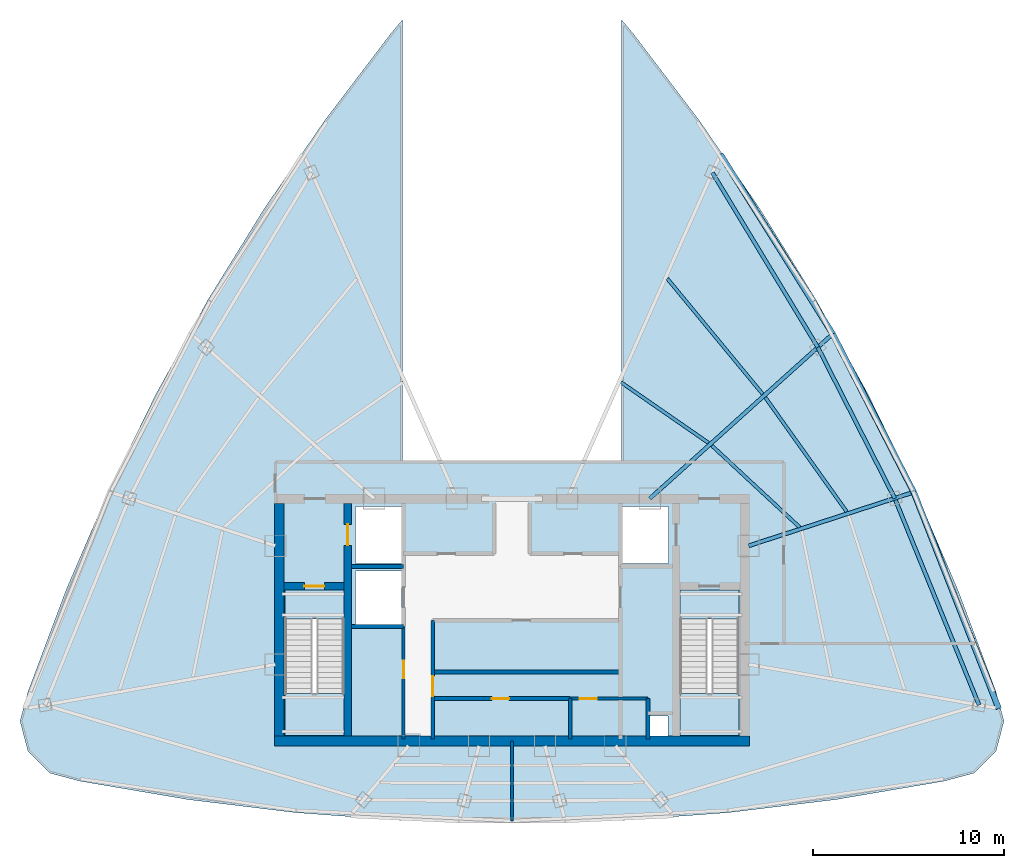
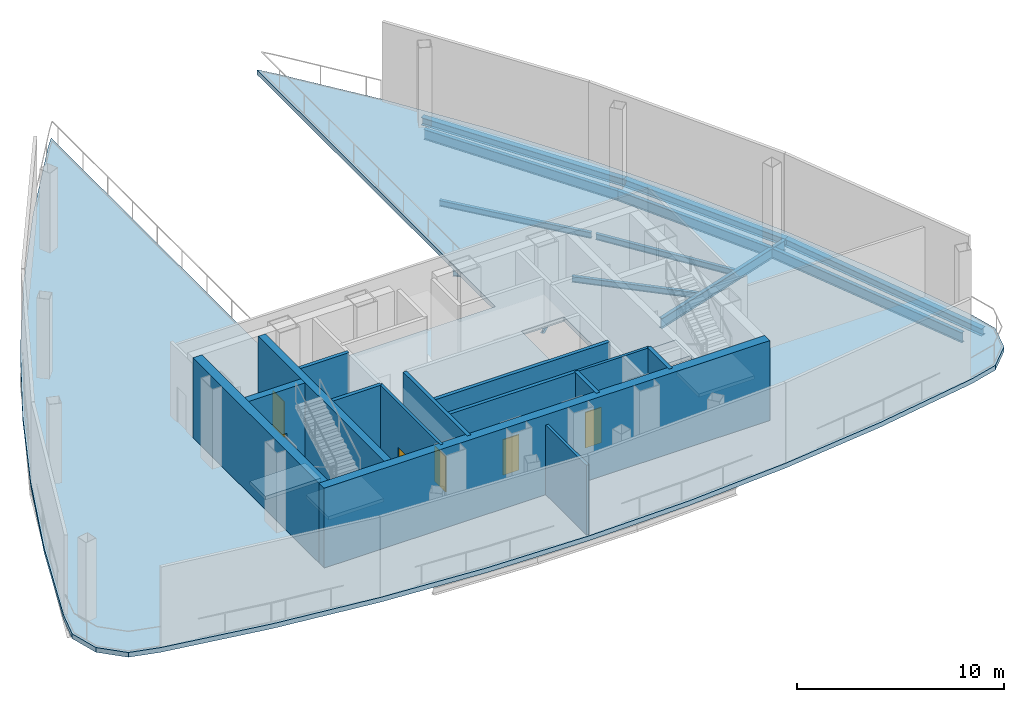
# One storey, part 2 of 6: 14 walls, 12 beams, 6 doors, 5 slabs, 6 openings, 2 elements without a shape of their own.
"""IFC4 building model written with IfcOpenShell, lengths in metres."""

from ifc_helpers import new_model, si_unit, direction, frame, frame_2d, origin, origin_with_axes, origin_2d, place, context, subcontext, project, spatial, polyline, rectangle, i_section, outline, extrude, source, transform, mapped, material, layer, layer_set, material_profile, profile_set, type_object, element, fill, aggregate, save


model = new_model("IFC4")

# Units and contexts
model_context = context("Model", 3, precision=1e-05, world=origin(), true_north=direction((0.0, 1.0)))
body_context = subcontext(model_context, "Body", "Model", "MODEL_VIEW")
ifc_project = project(units=[si_unit("LENGTHUNIT", "METRE"), si_unit("AREAUNIT", "SQUARE_METRE"), si_unit("VOLUMEUNIT", "CUBIC_METRE"), si_unit("PLANEANGLEUNIT", "RADIAN"), si_unit("MASSUNIT", "GRAM", prefix="KILO"), si_unit("THERMODYNAMICTEMPERATUREUNIT", "KELVIN"), si_unit("POWERUNIT", "WATT")], contexts=[model_context])

# Site, building, storey
site_placement = place(None, origin())
site = spatial("IfcSite", under=ifc_project, at=site_placement, CompositionType="ELEMENT")
building_placement = place(site_placement, origin())
building = spatial("IfcBuilding", under=site, at=building_placement, Name="Yunzhuo Pagoda Commons", CompositionType="ELEMENT")
storey_placement = place(building_placement, frame((0.0, 0.0, 381.760009765625)))
storey = spatial("IfcBuildingStorey", under=building, at=storey_placement, Name="L95", CompositionType="ELEMENT", Elevation=381.760009765625)

# Beams
ifc_material_1 = material(Name="Structural steel Q355B", Category="steel")
ifc_material_profile_1 = material_profile(ifc_material_1, i_section(OverallWidth=0.199951171875, OverallDepth=0.60009765625, WebThickness=0.010986328125, FlangeThickness=0.01708984375, at=origin_2d()), Name="Structural steel Q355B")
ifc_profile_set_1 = profile_set([ifc_material_profile_1], Name="Structural steel Q355B")
beam_type_1 = type_object("IfcBeamType", Name="B-RG3 Beam HN 600x200x11x17", PredefinedType="BEAM", material=ifc_profile_set_1)
shared_shape_1 = source(origin(), body_context, "Body", "SweptSolid", [
    extrude(i_section(OverallWidth=0.199951171875, OverallDepth=0.60009765625, WebThickness=0.010986328125, FlangeThickness=0.01708984375, at=origin_2d()), origin(), (0.0, 0.0, 1.0), 11.696533203125),
])
beam_1_placement = place(storey_placement, frame((72.47021484375, 29.38525390625, -0.580078125), z_axis=(-0.377611800863, 0.925963999219, 0.0), x_axis=(-0.925963999219, -0.377611800863, 0.0)))
element("IfcBeam", 1, at=beam_1_placement, inside=storey, type_object=beam_type_1, Name="L95 column-ring beam 5", PredefinedType="BEAM", context=body_context, shape_type="MappedRepresentation", body=[
    mapped(shared_shape_1, transform((0.0, 0.0, 0.0), scale=1.0)),
])
shared_shape_2 = source(origin(), body_context, "Body", "SweptSolid", [
    extrude(i_section(OverallWidth=0.199951171875, OverallDepth=0.60009765625, WebThickness=0.010986328125, FlangeThickness=0.01708984375, at=origin_2d()), origin(), (0.0, 0.0, 1.0), 8.87939453125),
])
beam_2_placement = place(storey_placement, frame((68.053466796875, 40.2158203125, -0.580078125), z_axis=(-0.453723535687, 0.891142498798, 0.0), x_axis=(-0.891142498798, -0.453723535687, 0.0)))
element("IfcBeam", 2, at=beam_2_placement, inside=storey, type_object=beam_type_1, Name="L95 column-ring beam 6", PredefinedType="BEAM", context=body_context, shape_type="MappedRepresentation", body=[
    mapped(shared_shape_2, transform((0.0, 0.0, 0.0), scale=1.0)),
])
shared_shape_3 = source(origin(), body_context, "Body", "SweptSolid", [
    extrude(i_section(OverallWidth=0.199951171875, OverallDepth=0.60009765625, WebThickness=0.010986328125, FlangeThickness=0.01708984375, at=origin_2d()), origin(), (0.0, 0.0, 1.0), 10.691162109375),
])
beam_3_placement = place(storey_placement, frame((64.024658203125, 48.128662109375, -0.580078125), z_axis=(-0.516864678433, 0.856067114301, 0.0), x_axis=(-0.856067114301, -0.516864678433, 0.0)))
element("IfcBeam", 3, at=beam_3_placement, inside=storey, type_object=beam_type_1, Name="L95 column-ring beam 7", PredefinedType="BEAM", context=body_context, shape_type="MappedRepresentation", body=[
    mapped(shared_shape_3, transform((0.0, 0.0, 0.0), scale=1.0)),
])
ifc_material_profile_2 = material_profile(ifc_material_1, i_section(OverallWidth=0.175048828125, OverallDepth=0.35009765625, WebThickness=0.007080078125, FlangeThickness=0.010986328125, at=origin_2d()), Name="Structural steel Q355B")
ifc_profile_set_2 = profile_set([ifc_material_profile_2], Name="Structural steel Q355B")
beam_type_2 = type_object("IfcBeamType", Name="B-JS2 Joist HN 350x175x7x11", PredefinedType="JOIST", material=ifc_profile_set_2)
shared_shape_4 = source(origin(), body_context, "Body", "SweptSolid", [
    extrude(i_section(OverallWidth=0.175048828125, OverallDepth=0.35009765625, WebThickness=0.007080078125, FlangeThickness=0.010986328125, at=origin_2d()), origin(), (0.0, 0.0, 1.0), 6.277099609375),
])
beam_4_placement = place(storey_placement, frame((63.071044921875, 38.702392578125, -0.455078125), z_axis=(-0.73244154109, 0.68082992655, 0.0), x_axis=(-0.68082992655, -0.73244154109, 0.0)))
element("IfcBeam", 4, at=beam_4_placement, inside=storey, type_object=beam_type_2, Name="L95 composite ring joist 1.6", PredefinedType="JOIST", context=body_context, shape_type="MappedRepresentation", body=[
    mapped(shared_shape_4, transform((0.0, 0.0, 0.0), scale=1.0)),
])
shared_shape_5 = source(origin(), body_context, "Body", "SweptSolid", [
    extrude(i_section(OverallWidth=0.175048828125, OverallDepth=0.35009765625, WebThickness=0.007080078125, FlangeThickness=0.010986328125, at=origin_2d()), origin(), (0.0, 0.0, 1.0), 7.347900390625),
])
beam_5_placement = place(storey_placement, frame((65.53759765625, 39.513671875, -0.455078125), z_axis=(-0.580294898948, 0.814406428177, 0.0), x_axis=(-0.814406428177, -0.580294898948, 0.0)))
element("IfcBeam", 5, at=beam_5_placement, inside=storey, type_object=beam_type_2, Name="L95 composite ring joist 2.6", PredefinedType="JOIST", context=body_context, shape_type="MappedRepresentation", body=[
    mapped(shared_shape_5, transform((0.0, 0.0, 0.0), scale=1.0)),
])
shared_shape_6 = source(origin(), body_context, "Body", "SweptSolid", [
    extrude(i_section(OverallWidth=0.175048828125, OverallDepth=0.35009765625, WebThickness=0.007080078125, FlangeThickness=0.010986328125, at=origin_2d()), origin(), (0.0, 0.0, 1.0), 5.556640625),
])
beam_6_placement = place(storey_placement, frame((58.29443359375, 43.119873046875, -0.455078125), z_axis=(-0.822084621883, 0.569365326011, 0.0), x_axis=(-0.569365326011, -0.822084621883, 0.0)))
element("IfcBeam", 6, at=beam_6_placement, inside=storey, type_object=beam_type_2, Name="L95 composite ring joist 1.7", PredefinedType="JOIST", context=body_context, shape_type="MappedRepresentation", body=[
    mapped(shared_shape_6, transform((0.0, 0.0, 0.0), scale=1.0)),
])
shared_shape_7 = source(origin(), body_context, "Body", "SweptSolid", [
    extrude(i_section(OverallWidth=0.175048828125, OverallDepth=0.35009765625, WebThickness=0.007080078125, FlangeThickness=0.010986328125, at=origin_2d()), origin(), (0.0, 0.0, 1.0), 7.842529296875),
])
beam_7_placement = place(storey_placement, frame((61.133544921875, 45.68017578125, -0.455078125), z_axis=(-0.636899145749, 0.770947130577, 0.0), x_axis=(-0.770947130577, -0.636899145749, 0.0)))
element("IfcBeam", 7, at=beam_7_placement, inside=storey, type_object=beam_type_2, Name="L95 composite ring joist 2.7", PredefinedType="JOIST", context=body_context, shape_type="MappedRepresentation", body=[
    mapped(shared_shape_7, transform((0.0, 0.0, 0.0), scale=1.0)),
])
shared_shape_8 = source(origin(), body_context, "Body", "SweptSolid", [
    extrude(i_section(OverallWidth=0.199951171875, OverallDepth=0.60009765625, WebThickness=0.010986328125, FlangeThickness=0.01708984375, at=origin_2d()), origin(), (0.0, 0.0, 1.0), 8.942626953125),
])
beam_8_placement = place(storey_placement, frame((68.90478515625, 40.492431640625, -0.580078125), z_axis=(-0.951055734301, -0.309019401095, 0.0), x_axis=(0.309019401095, -0.951055734301, 0.0)))
element("IfcBeam", 8, at=beam_8_placement, inside=storey, type_object=beam_type_1, Name="L95 radial floor girder F2C2", PredefinedType="BEAM", context=body_context, shape_type="MappedRepresentation", body=[
    mapped(shared_shape_8, transform((0.0, 0.0, 0.0), scale=1.0)),
])
shared_shape_9 = source(origin(), body_context, "Body", "SweptSolid", [
    extrude(i_section(OverallWidth=0.199951171875, OverallDepth=0.60009765625, WebThickness=0.010986328125, FlangeThickness=0.01708984375, at=origin_2d()), origin(), (0.0, 0.0, 1.0), 12.744140625),
])
beam_9_placement = place(storey_placement, frame((64.689697265625, 48.7275390625, -0.580078125), z_axis=(-0.743139811769, -0.669136174605, 0.0), x_axis=(0.669136174605, -0.743139811769, 0.0)))
element("IfcBeam", 9, at=beam_9_placement, inside=storey, type_object=beam_type_1, Name="L95 radial floor girder F2C3", PredefinedType="BEAM", context=body_context, shape_type="MappedRepresentation", body=[
    mapped(shared_shape_9, transform((0.0, 0.0, 0.0), scale=1.0)),
])
ifc_material_profile_3 = material_profile(ifc_material_1, i_section(OverallWidth=0.300048828125, OverallDepth=0.43994140625, WebThickness=0.010986328125, FlangeThickness=0.01806640625, at=origin_2d()), Name="Structural steel Q355B")
ifc_profile_set_3 = profile_set([ifc_material_profile_3], Name="Structural steel Q355B")
beam_type_3 = type_object("IfcBeamType", Name="B-SP2 Beam HM 440x300x11x18", PredefinedType="BEAM", material=ifc_profile_set_3)
shared_shape_10 = source(origin(), body_context, "Body", "SweptSolid", [
    extrude(i_section(OverallWidth=0.300048828125, OverallDepth=0.43994140625, WebThickness=0.010986328125, FlangeThickness=0.01806640625, at=origin_2d()), origin(), (0.0, 0.0, 1.0), 12.18017578125),
])
beam_10_placement = place(storey_placement, frame((73.504150390625, 29.202880859375, -0.5), z_axis=(-0.365522138301, 0.930802646328, 0.0), x_axis=(-0.930802646328, -0.365522138301, 0.0)))
element("IfcBeam", 10, at=beam_10_placement, inside=storey, type_object=beam_type_3, Name="L95 facade edge spandrel beam F2.1", PredefinedType="BEAM", context=body_context, shape_type="MappedRepresentation", body=[
    mapped(shared_shape_10, transform((0.0, 0.0, 0.0), scale=1.0)),
])
shared_shape_11 = source(origin(), body_context, "Body", "SweptSolid", [
    extrude(i_section(OverallWidth=0.300048828125, OverallDepth=0.43994140625, WebThickness=0.010986328125, FlangeThickness=0.01806640625, at=origin_2d()), origin(), (0.0, 0.0, 1.0), 9.3154296875),
])
beam_11_placement = place(storey_placement, frame((69.052001953125, 40.540283203125, -0.5), z_axis=(-0.455914353887, 0.89002365245, 0.0), x_axis=(-0.89002365245, -0.455914353887, 0.0)))
element("IfcBeam", 11, at=beam_11_placement, inside=storey, type_object=beam_type_3, Name="L95 facade edge spandrel beam F2.2", PredefinedType="BEAM", context=body_context, shape_type="MappedRepresentation", body=[
    mapped(shared_shape_11, transform((0.0, 0.0, 0.0), scale=1.0)),
])
shared_shape_12 = source(origin(), body_context, "Body", "SweptSolid", [
    extrude(i_section(OverallWidth=0.300048828125, OverallDepth=0.43994140625, WebThickness=0.010986328125, FlangeThickness=0.01806640625, at=origin_2d()), origin(), (0.0, 0.0, 1.0), 11.094482421875),
])
beam_12_placement = place(storey_placement, frame((64.804931640625, 48.831298828125, -0.5), z_axis=(-0.529915860294, 0.848050223164, 0.0), x_axis=(-0.848050223164, -0.529915860294, 0.0)))
element("IfcBeam", 12, at=beam_12_placement, inside=storey, type_object=beam_type_3, Name="L95 facade edge spandrel beam F2.3", PredefinedType="BEAM", context=body_context, shape_type="MappedRepresentation", body=[
    mapped(shared_shape_12, transform((0.0, 0.0, 0.0), scale=1.0)),
])

# Stair, slabs
ifc_material_2 = material(Name="Concrete C40", Category="concrete")
stair_type_1 = type_object("IfcStairType", Name="ST-C1 Core Smokeproof Stair ST1", PredefinedType="HALF_TURN_STAIR", material=ifc_material_2)
stair_1_placement = place(storey_placement, origin())
stair_1 = element("IfcStair", 13, at=stair_1_placement, inside=storey, type_object=stair_type_1, Name="L95 Core smokeproof stair ST1", PredefinedType="HALF_TURN_STAIR")
ifc_layer_1 = layer(ifc_material_2, 0.199951171875)
ifc_layer_set_1 = layer_set([ifc_layer_1], Name="Concrete C40")
slab_type_1 = type_object("IfcSlabType", Name="SL-LND1 Stair Landing Slab 200", PredefinedType="LANDING", material=ifc_layer_set_1)
slab_1_placement = place(storey_placement, frame((0.0, 0.0, 2.300048828125)))
slab_1 = element("IfcSlab", 14, at=slab_1_placement, type_object=slab_type_1, Name="ST1 landing 1", PredefinedType="LANDING", context=body_context, shape_type="SweptSolid", body=[
    extrude(outline(polyline([(36.10009765625, 29.97998046875), (36.10009765625, 27.800048828125), (39.199951171875, 27.800048828125), (39.199951171875, 29.97998046875), (36.10009765625, 29.97998046875)])), origin(), (0.0, 0.0, 1.0), 0.199951171875),
])
slab_2_placement = place(storey_placement, frame((0.0, 0.0, -0.199951171875)))
slab_2 = element("IfcSlab", 15, at=slab_2_placement, type_object=slab_type_1, Name="ST1 floor landing L95", PredefinedType="LANDING", context=body_context, shape_type="SweptSolid", body=[
    extrude(outline(polyline([(36.10009765625, 35.39990234375), (36.10009765625, 33.89990234375), (39.199951171875, 33.89990234375), (39.199951171875, 35.39990234375), (36.10009765625, 35.39990234375)])), origin(), (0.0, 0.0, 1.0), 0.199951171875),
])
aggregate(stair_1, [slab_1, slab_2])

stair_type_2 = type_object("IfcStairType", Name="ST-C2 Core Smokeproof Stair ST2", PredefinedType="HALF_TURN_STAIR", material=ifc_material_2)
stair_2_placement = place(storey_placement, origin())
stair_2 = element("IfcStair", 16, at=stair_2_placement, inside=storey, type_object=stair_type_2, Name="L95 Core smokeproof stair ST2", PredefinedType="HALF_TURN_STAIR")
ifc_layer_2 = layer(ifc_material_2, 0.201904296875)
ifc_layer_set_2 = layer_set([ifc_layer_2], Name="Concrete C40")
slab_type_2 = type_object("IfcSlabType", Name="SL-LND2 Stair Landing Slab 202", PredefinedType="LANDING", material=ifc_layer_set_2)
slab_3_placement = place(storey_placement, frame((0.0, 0.0, 2.300048828125)))
slab_3 = element("IfcSlab", 17, at=slab_3_placement, type_object=slab_type_2, Name="ST2 landing 1", PredefinedType="LANDING", context=body_context, shape_type="SweptSolid", body=[
    extrude(outline(polyline([(56.800048828125, 29.97998046875), (56.800048828125, 27.800048828125), (59.89990234375, 27.800048828125), (59.89990234375, 29.97998046875), (56.800048828125, 29.97998046875)])), origin(), (0.0, 0.0, 1.0), 0.199951171875),
])
slab_4_placement = place(storey_placement, frame((0.0, 0.0, -0.199951171875)))
slab_4 = element("IfcSlab", 18, at=slab_4_placement, type_object=slab_type_2, Name="ST2 floor landing L95", PredefinedType="LANDING", context=body_context, shape_type="SweptSolid", body=[
    extrude(outline(polyline([(56.800048828125, 35.39990234375), (56.800048828125, 33.89990234375), (59.89990234375, 33.89990234375), (59.89990234375, 35.39990234375), (56.800048828125, 35.39990234375)])), origin(), (0.0, 0.0, 1.0), 0.199951171875),
])
aggregate(stair_2, [slab_3, slab_4])

# Slab
ifc_layer_3 = layer(ifc_material_2, 0.280029296875)
ifc_layer_set_3 = layer_set([ifc_layer_3], Name="Concrete C40")
slab_type_3 = type_object("IfcSlabType", Name="SL-POD Podium & Refuge Floor Slab 280", PredefinedType="FLOOR", material=ifc_layer_set_3)
slab_5_placement = place(storey_placement, frame((0.0, 0.0, -0.280029296875)))
element("IfcSlab", 19, at=slab_5_placement, inside=storey, type_object=slab_type_3, Name="L95 wind portal wing floor slab 1", PredefinedType="FLOOR", context=body_context, shape_type="SweptSolid", body=[
    extrude(outline(polyline([(57.7939453125, 60.038818359375), (60.981689453125, 55.397705078125), (63.931396484375, 50.61767578125), (66.643310546875, 45.69873046875), (69.1171875, 40.64111328125), (71.35302734375, 35.4443359375), (73.35107421875, 30.10888671875), (73.7783203125, 28.541259765625), (73.3623046875, 26.970458984375), (72.21533203125, 25.819580078125), (70.646240234375, 25.39794921875), (64.984619140625, 24.43359375), (59.322998046875, 23.7451171875), (53.66162109375, 23.331787109375), (48.0, 23.194091796875), (42.33837890625, 23.331787109375), (36.677001953125, 23.7451171875), (31.015380859375, 24.43359375), (25.353759765625, 25.39794921875), (23.78466796875, 25.819580078125), (22.6376953125, 26.970458984375), (22.2216796875, 28.541259765625), (22.64892578125, 30.10888671875), (24.64697265625, 35.4443359375), (26.8828125, 40.64111328125), (29.356689453125, 45.69873046875), (32.068603515625, 50.61767578125), (35.018310546875, 55.397705078125), (38.2060546875, 60.038818359375), (41.631591796875, 64.541015625), (42.25, 65.27734375), (42.25, 42.199951171875), (53.75, 42.199951171875), (53.75, 65.27734375), (54.368408203125, 64.541015625), (57.7939453125, 60.038818359375)]), holes=[polyline([(55.179931640625, 28.800048828125), (55.179931640625, 27.699951171875), (56.179931640625, 27.699951171875), (56.179931640625, 28.800048828125), (55.179931640625, 28.800048828125)]), polyline([(39.199951171875, 27.800048828125), (39.199951171875, 35.39990234375), (36.10009765625, 35.39990234375), (36.10009765625, 27.800048828125), (39.199951171875, 27.800048828125)]), polyline([(59.89990234375, 27.800048828125), (59.89990234375, 35.39990234375), (56.800048828125, 35.39990234375), (56.800048828125, 27.800048828125), (59.89990234375, 27.800048828125)]), polyline([(39.800048828125, 36.39990234375), (39.800048828125, 33.60009765625), (42.199951171875, 33.60009765625), (42.199951171875, 36.39990234375), (39.800048828125, 36.39990234375)]), polyline([(42.199951171875, 39.800048828125), (39.800048828125, 39.800048828125), (39.800048828125, 36.800048828125), (42.199951171875, 36.800048828125), (42.199951171875, 39.800048828125)]), polyline([(56.199951171875, 39.800048828125), (53.800048828125, 39.800048828125), (53.800048828125, 36.800048828125), (56.199951171875, 36.800048828125), (56.199951171875, 39.800048828125)])]), origin(), (0.0, 0.0, 1.0), 0.280029296875),
])

# Walls
ifc_material_3 = material(Name="Concrete C50", Category="concrete")
ifc_layer_4 = layer(ifc_material_3, 0.5)
ifc_layer_set_4 = layer_set([ifc_layer_4], Name="Concrete C50")
wall_type_1 = type_object("IfcWallType", Name="W-C03 Upper Core Shear Wall 500", PredefinedType="SHEAR", material=ifc_layer_set_4)
wall_1_placement = place(storey_placement, frame((35.550048828125, 27.5, 0.0), z_axis=(0.0, 0.0, 1.0), x_axis=(1.0, 0.0, 0.0)))
element("IfcWall", 20, at=wall_1_placement, inside=storey, type_object=wall_type_1, Name="L95 core shear wall S", PredefinedType="SHEAR", context=body_context, shape_type="SweptSolid", body=[
    extrude(rectangle(XDim=24.89990234375, YDim=0.5, at=frame_2d((12.449951171875, 0.0))), origin(), (0.0, 0.0, 1.0), 4.719970703125),
])
wall_2_placement = place(storey_placement, frame((35.800048828125, 27.75, 0.0), z_axis=(0.0, 0.0, 1.0), x_axis=(0.0, 1.0, 0.0)))
element("IfcWall", 21, at=wall_2_placement, inside=storey, type_object=wall_type_1, Name="L95 core shear wall W", PredefinedType="SHEAR", context=body_context, shape_type="SweptSolid", body=[
    extrude(rectangle(XDim=12.199951171875, YDim=0.5, at=frame_2d((6.10009765625, 0.0))), origin(), (0.0, 0.0, 1.0), 4.719970703125),
])

# Wall, opening, door
ifc_material_4 = material(Name="Gypsum plasterboard on acoustic stud")
ifc_layer_5 = layer(ifc_material_4, 0.14990234375)
ifc_layer_set_5 = layer_set([ifc_layer_5], Name="Gypsum plasterboard on acoustic stud")
wall_type_2 = type_object("IfcWallType", Name="W-COR3 High-Zone Rated Corridor Wall 150", PredefinedType="PARTITIONING", material=ifc_layer_set_5)
wall_3_placement = place(storey_placement, frame((42.320068359375, 27.60009765625, 0.0), z_axis=(0.0, 0.0, 1.0), x_axis=(0.0, 1.0, 0.0)))
wall_3 = element("IfcWall", 22, at=wall_3_placement, inside=storey, type_object=wall_type_2, Name="L95 interior wall IW-L95-CSWE", PredefinedType="PARTITIONING", context=body_context, shape_type="SweptSolid", body=[
    extrude(rectangle(XDim=5.89990234375, YDim=0.14990234375, at=frame_2d((2.949951171875, 0.0))), origin(), (0.0, 0.0, 1.0), 4.719970703125),
])
opening_1_placement = place(wall_3_placement, frame((3.199951171875, 0.0, 0.0)))
opening_1 = element("IfcOpeningElement", 23, at=opening_1_placement, cuts=wall_3, Name="Opening D-03", PredefinedType="OPENING", context=body_context, shape_type="SweptSolid", body=[
    extrude(rectangle(XDim=0.89990234375, YDim=2.10009765625, at=frame_2d((0.449951171875, 1.050048828125))), frame((0.0, 0.0849609375, 0.0), z_axis=(0.0, -1.0, 0.0), x_axis=(1.0, 0.0, 0.0)), (0.0, 0.0, 1.0), 0.169921875),
])
ifc_material_5 = material(Name="Galvanized fire-resisting metal leaf")
door_type_1 = type_object("IfcDoorType", Name="D-03 Core Service Fire Door 900x2100", OperationType="NOTDEFINED", PredefinedType="DOOR", material=ifc_material_5)
shared_shape_13 = source(origin(), body_context, "Body", "SweptSolid", [
    extrude(rectangle(XDim=0.89990234375, YDim=2.10009765625, at=frame_2d((0.449951171875, 1.050048828125))), frame((0.0, 0.02490234375, 0.0), z_axis=(0.0, -1.0, 0.0), x_axis=(1.0, 0.0, 0.0)), (0.0, 0.0, 1.0), 0.050048828125),
])
door_1_placement = place(opening_1_placement, origin_with_axes())
door_1 = element("IfcDoor", 24, at=door_1_placement, inside=storey, type_object=door_type_1, Name="L95 core closet door", OperationType="SINGLE_SWING_LEFT", OverallHeight=2.10009765625, OverallWidth=0.89990234375, PredefinedType="DOOR", context=body_context, shape_type="MappedRepresentation", body=[
    mapped(shared_shape_13, transform((0.0, 0.0, 0.0), scale=1.0)),
])
fill(opening_1, door_1)

wall_4_placement = place(storey_placement, frame((51.050048828125, 29.719970703125, 0.0), z_axis=(0.0, 0.0, 1.0), x_axis=(1.0, 0.0, 0.0)))
wall_4 = element("IfcWall", 25, at=wall_4_placement, inside=storey, type_object=wall_type_2, Name="L95 interior wall IW-L95-CSES", PredefinedType="PARTITIONING", context=body_context, shape_type="SweptSolid", body=[
    extrude(rectangle(XDim=4.070068359375, YDim=0.14990234375, at=frame_2d((2.03515625, 0.0))), origin(), (0.0, 0.0, 1.0), 4.719970703125),
])
opening_2_placement = place(wall_4_placement, frame((0.5, 0.0, 0.0)))
opening_2 = element("IfcOpeningElement", 26, at=opening_2_placement, cuts=wall_4, Name="Opening D-03", PredefinedType="OPENING", context=body_context, shape_type="SweptSolid", body=[
    extrude(rectangle(XDim=0.89990234375, YDim=2.10009765625, at=frame_2d((0.449951171875, 1.050048828125))), frame((0.0, 0.0849609375, 0.0), z_axis=(0.0, -1.0, 0.0), x_axis=(1.0, 0.0, 0.0)), (0.0, 0.0, 1.0), 0.169921875),
])
door_2_placement = place(opening_2_placement, origin_with_axes())
door_2 = element("IfcDoor", 27, at=door_2_placement, inside=storey, type_object=door_type_1, Name="L95 cleaner store door", OperationType="SINGLE_SWING_LEFT", OverallHeight=2.10009765625, OverallWidth=0.89990234375, PredefinedType="DOOR", context=body_context, shape_type="MappedRepresentation", body=[
    mapped(shared_shape_13, transform((0.0, 0.0, 0.0), scale=1.0)),
])
fill(opening_2, door_2)

# Wall
wall_5_placement = place(storey_placement, frame((48.0, 23.314208984375, 0.0), z_axis=(0.0, 0.0, 1.0), x_axis=(0.0, 1.0, 0.0)))
element("IfcWall", 28, at=wall_5_placement, inside=storey, type_object=wall_type_2, Name="L95 interior wall IW-L95-WPSDIV", PredefinedType="PARTITIONING", context=body_context, shape_type="SweptSolid", body=[
    extrude(rectangle(XDim=4.185791015625, YDim=0.14990234375, at=frame_2d((2.0927734375, 0.0))), origin(), (0.0, 0.0, 1.0), 4.119873046875),
])

# Wall, opening, door
ifc_material_6 = material(Name="Concrete C60", Category="concrete")
ifc_layer_6 = layer(ifc_material_6, 0.39990234375)
ifc_layer_set_6 = layer_set([ifc_layer_6], Name="Concrete C60")
wall_type_3 = type_object("IfcWallType", Name="W-S01 Internal Core Shear Web 400", PredefinedType="SHEAR", material=ifc_layer_set_6)
wall_6_placement = place(storey_placement, frame((39.39990234375, 27.75, 0.0), z_axis=(0.0, 0.0, 1.0), x_axis=(0.0, 1.0, 0.0)))
wall_6 = element("IfcWall", 29, at=wall_6_placement, inside=storey, type_object=wall_type_3, Name="L95 core shear wall WEBW", PredefinedType="SHEAR", context=body_context, shape_type="SweptSolid", body=[
    extrude(rectangle(XDim=12.199951171875, YDim=0.39990234375, at=frame_2d((6.10009765625, 0.0))), origin(), (0.0, 0.0, 1.0), 4.719970703125),
])
opening_3_placement = place(wall_6_placement, frame((10.0, 0.0, 0.0)))
opening_3 = element("IfcOpeningElement", 30, at=opening_3_placement, cuts=wall_6, Name="Opening LD-01", PredefinedType="OPENING", context=body_context, shape_type="SweptSolid", body=[
    extrude(rectangle(XDim=1.10009765625, YDim=2.10009765625, at=frame_2d((0.550048828125, 1.050048828125))), frame((0.0, 0.2099609375, 0.0), z_axis=(0.0, -1.0, 0.0), x_axis=(1.0, 0.0, 0.0)), (0.0, 0.0, 1.0), 0.419921875),
])
door_type_2 = type_object("IfcDoorType", Name="LD-01 Firefighting Lift Landing Door 1100x2100", OperationType="DOUBLE_DOOR_SLIDING", PredefinedType="DOOR", material=ifc_material_5)
shared_shape_14 = source(origin(), body_context, "Body", "SweptSolid", [
    extrude(rectangle(XDim=1.10009765625, YDim=2.10009765625, at=frame_2d((0.550048828125, 1.050048828125))), frame((0.0, 0.02490234375, 0.0), z_axis=(0.0, -1.0, 0.0), x_axis=(1.0, 0.0, 0.0)), (0.0, 0.0, 1.0), 0.050048828125),
])
door_3_placement = place(opening_3_placement, frame((1.10009765625, 0.0, 0.0), z_axis=(0.0, 0.0, 1.0), x_axis=(-1.0, 0.0, 0.0)))
door_3 = element("IfcDoor", 31, at=door_3_placement, inside=storey, type_object=door_type_2, Name="L95 Firefighting lift FL-1 landing door", OperationType="DOUBLE_DOOR_SLIDING", OverallHeight=2.10009765625, OverallWidth=1.10009765625, PredefinedType="DOOR", context=body_context, shape_type="MappedRepresentation", body=[
    mapped(shared_shape_14, transform((0.0, 0.0, 0.0), scale=1.0)),
])
fill(opening_3, door_3)

wall_7_placement = place(storey_placement, frame((36.050048828125, 35.60009765625, 0.0), z_axis=(0.0, 0.0, 1.0), x_axis=(1.0, 0.0, 0.0)))
wall_7 = element("IfcWall", 32, at=wall_7_placement, inside=storey, type_object=wall_type_3, Name="L95 core shear wall STW", PredefinedType="SHEAR", context=body_context, shape_type="SweptSolid", body=[
    extrude(rectangle(XDim=3.14990234375, YDim=0.39990234375, at=frame_2d((1.574951171875, 0.0))), origin(), (0.0, 0.0, 1.0), 4.719970703125),
])
opening_4_placement = place(wall_7_placement, frame((1.070068359375, 0.0, 0.0)))
opening_4 = element("IfcOpeningElement", 33, at=opening_4_placement, cuts=wall_7, Name="Opening D-01", PredefinedType="OPENING", context=body_context, shape_type="SweptSolid", body=[
    extrude(rectangle(XDim=1.050048828125, YDim=2.10009765625, at=frame_2d((0.52490234375, 1.050048828125))), frame((0.0, 0.2099609375, 0.0), z_axis=(0.0, -1.0, 0.0), x_axis=(1.0, 0.0, 0.0)), (0.0, 0.0, 1.0), 0.419921875),
])
door_type_3 = type_object("IfcDoorType", Name="D-01 Smokeproof Stair Fire Door 1050x2100", OperationType="NOTDEFINED", PredefinedType="DOOR", material=ifc_material_5)
shared_shape_15 = source(origin(), body_context, "Body", "SweptSolid", [
    extrude(rectangle(XDim=1.050048828125, YDim=2.10009765625, at=frame_2d((0.52490234375, 1.050048828125))), frame((0.0, 0.02490234375, 0.0), z_axis=(0.0, -1.0, 0.0), x_axis=(1.0, 0.0, 0.0)), (0.0, 0.0, 1.0), 0.050048828125),
])
door_4_placement = place(opening_4_placement, frame((1.050048828125, 0.0, 0.0), z_axis=(0.0, 0.0, 1.0), x_axis=(-1.0, 0.0, 0.0)))
door_4 = element("IfcDoor", 34, at=door_4_placement, inside=storey, type_object=door_type_3, Name="L95 Stair ST1 fire door", OperationType="SINGLE_SWING_LEFT", OverallHeight=2.10009765625, OverallWidth=1.050048828125, PredefinedType="DOOR", context=body_context, shape_type="MappedRepresentation", body=[
    mapped(shared_shape_15, transform((0.0, 0.0, 0.0), scale=1.0)),
])
fill(opening_4, door_4)

# Walls
ifc_layer_7 = layer(ifc_material_2, 0.199951171875)
ifc_layer_set_7 = layer_set([ifc_layer_7], Name="Concrete C40")
wall_type_4 = type_object("IfcWallType", Name="W-SHF Shaft & Stair Enclosure Wall 200", PredefinedType="SOLIDWALL", material=ifc_layer_set_7)
for number, where, z_axis, x_axis, name in (
    (35, (39.60009765625, 36.64990234375, 0.0), (0.0, 0.0, 1.0), (1.0, 0.0, 0.0), "L95 interior wall IW-L95-FL1S"),
    (36, (39.60009765625, 33.5, 0.0), (0.0, 0.0, 1.0), (1.0, 0.0, 0.0), "L95 interior wall IW-L95-SL1S"),
):
    element("IfcWall", number, at=place(storey_placement, frame(where, z_axis=z_axis, x_axis=x_axis)), inside=storey, type_object=wall_type_4, Name=name, PredefinedType="SOLIDWALL", context=body_context, shape_type="SweptSolid", body=[
        extrude(rectangle(XDim=2.719970703125, YDim=0.199951171875, at=frame_2d((1.35986328125, 0.0))), origin(), (0.0, 0.0, 1.0), 4.719970703125),
    ])

# Wall, opening, door
wall_8_placement = place(storey_placement, frame((43.85009765625, 27.60009765625, 0.0), z_axis=(0.0, 0.0, 1.0), x_axis=(0.0, 1.0, 0.0)))
wall_8 = element("IfcWall", 37, at=wall_8_placement, inside=storey, type_object=wall_type_4, Name="L95 interior wall IW-L95-PLMW", PredefinedType="SOLIDWALL", context=body_context, shape_type="SweptSolid", body=[
    extrude(rectangle(XDim=6.219970703125, YDim=0.199951171875, at=frame_2d((3.10986328125, 0.0))), origin(), (0.0, 0.0, 1.0), 4.719970703125),
])
opening_5_placement = place(wall_8_placement, frame((2.25, 0.0, 0.0)))
opening_5 = element("IfcOpeningElement", 38, at=opening_5_placement, cuts=wall_8, Name="Opening D-02", PredefinedType="OPENING", context=body_context, shape_type="SweptSolid", body=[
    extrude(rectangle(XDim=1.050048828125, YDim=2.10009765625, at=frame_2d((0.52490234375, 1.050048828125))), frame((0.0, 0.10986328125, 0.0), z_axis=(0.0, -1.0, 0.0), x_axis=(1.0, 0.0, 0.0)), (0.0, 0.0, 1.0), 0.219970703125),
])
door_type_4 = type_object("IfcDoorType", Name="D-02 Firefighting Lobby & Refuge Fire Door 1050x2100", OperationType="NOTDEFINED", PredefinedType="DOOR", material=ifc_material_5)
door_5_placement = place(opening_5_placement, frame((1.050048828125, 0.0, 0.0), z_axis=(0.0, 0.0, 1.0), x_axis=(-1.0, 0.0, 0.0)))
door_5 = element("IfcDoor", 39, at=door_5_placement, inside=storey, type_object=door_type_4, Name="L95 High-bank hall west door", OperationType="SINGLE_SWING_LEFT", OverallHeight=2.10009765625, OverallWidth=1.050048828125, PredefinedType="DOOR", context=body_context, shape_type="MappedRepresentation", body=[
    mapped(shared_shape_15, transform((0.0, 0.0, 0.0), scale=1.0)),
])
fill(opening_5, door_5)

wall_9_placement = place(storey_placement, frame((43.85009765625, 29.719970703125, 0.0), z_axis=(0.0, 0.0, 1.0), x_axis=(1.0, 0.0, 0.0)))
wall_9 = element("IfcWall", 40, at=wall_9_placement, inside=storey, type_object=wall_type_4, Name="L95 interior wall IW-L95-PLHN", PredefinedType="SOLIDWALL", context=body_context, shape_type="SweptSolid", body=[
    extrude(rectangle(XDim=7.199951171875, YDim=0.199951171875, at=frame_2d((3.60009765625, 0.0))), origin(), (0.0, 0.0, 1.0), 4.719970703125),
])
opening_6_placement = place(wall_9_placement, frame((3.10009765625, 0.0, 0.0)))
opening_6 = element("IfcOpeningElement", 41, at=opening_6_placement, cuts=wall_9, Name="Opening D-03", PredefinedType="OPENING", context=body_context, shape_type="SweptSolid", body=[
    extrude(rectangle(XDim=0.89990234375, YDim=2.10009765625, at=frame_2d((0.449951171875, 1.050048828125))), frame((0.0, 0.10986328125, 0.0), z_axis=(0.0, -1.0, 0.0), x_axis=(1.0, 0.0, 0.0)), (0.0, 0.0, 1.0), 0.219970703125),
])
door_6_placement = place(opening_6_placement, origin_with_axes())
door_6 = element("IfcDoor", 42, at=door_6_placement, inside=storey, type_object=door_type_1, Name="L95 plumbing store door", OperationType="SINGLE_SWING_LEFT", OverallHeight=2.10009765625, OverallWidth=0.89990234375, PredefinedType="DOOR", context=body_context, shape_type="MappedRepresentation", body=[
    mapped(shared_shape_13, transform((0.0, 0.0, 0.0), scale=1.0)),
])
fill(opening_6, door_6)

# Walls
wall_10_placement = place(storey_placement, frame((51.050048828125, 27.60009765625, 0.0), z_axis=(0.0, 0.0, 1.0), x_axis=(0.0, 1.0, 0.0)))
element("IfcWall", 43, at=wall_10_placement, inside=storey, type_object=wall_type_4, Name="L95 interior wall IW-L95-PLHE", PredefinedType="SOLIDWALL", context=body_context, shape_type="SweptSolid", body=[
    extrude(rectangle(XDim=2.119873046875, YDim=0.199951171875, at=frame_2d((1.06005859375, 0.0))), origin(), (0.0, 0.0, 1.0), 4.719970703125),
])
wall_11_placement = place(storey_placement, frame((43.85009765625, 31.1201171875, 0.0), z_axis=(0.0, 0.0, 1.0), x_axis=(1.0, 0.0, 0.0)))
element("IfcWall", 44, at=wall_11_placement, inside=storey, type_object=wall_type_4, Name="L95 interior wall IW-L95-PLMS2", PredefinedType="SOLIDWALL", context=body_context, shape_type="SweptSolid", body=[
    extrude(rectangle(XDim=9.829833984375, YDim=0.199951171875, at=frame_2d((4.9150390625, 0.0))), origin(), (0.0, 0.0, 1.0), 4.719970703125),
])
wall_12_placement = place(storey_placement, frame((55.1201171875, 27.60009765625, 0.0), z_axis=(0.0, 0.0, 1.0), x_axis=(0.0, 1.0, 0.0)))
element("IfcWall", 45, at=wall_12_placement, inside=storey, type_object=wall_type_4, Name="L95 interior wall IW-L95-RSHFW", PredefinedType="SOLIDWALL", context=body_context, shape_type="SweptSolid", body=[
    extrude(rectangle(XDim=2.119873046875, YDim=0.199951171875, at=frame_2d((1.06005859375, 0.0))), origin(), (0.0, 0.0, 1.0), 4.719970703125),
])

save(model, "model.ifc")
